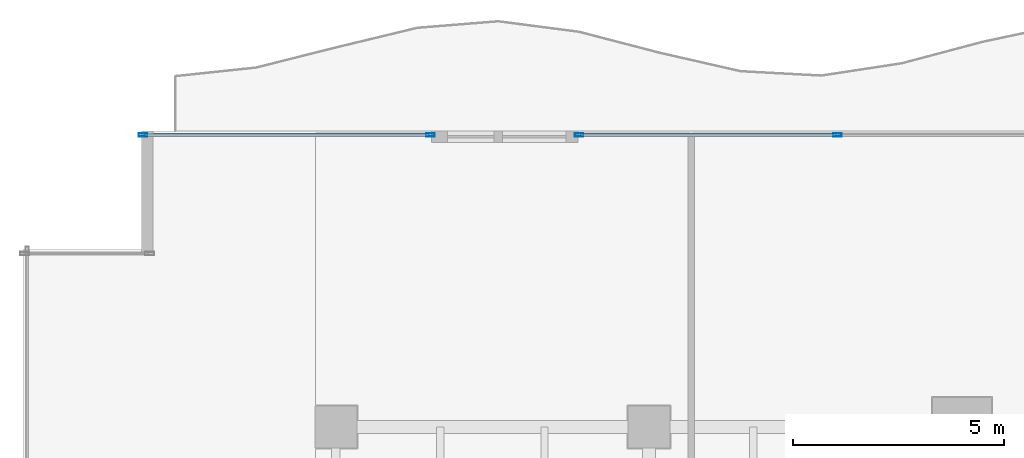
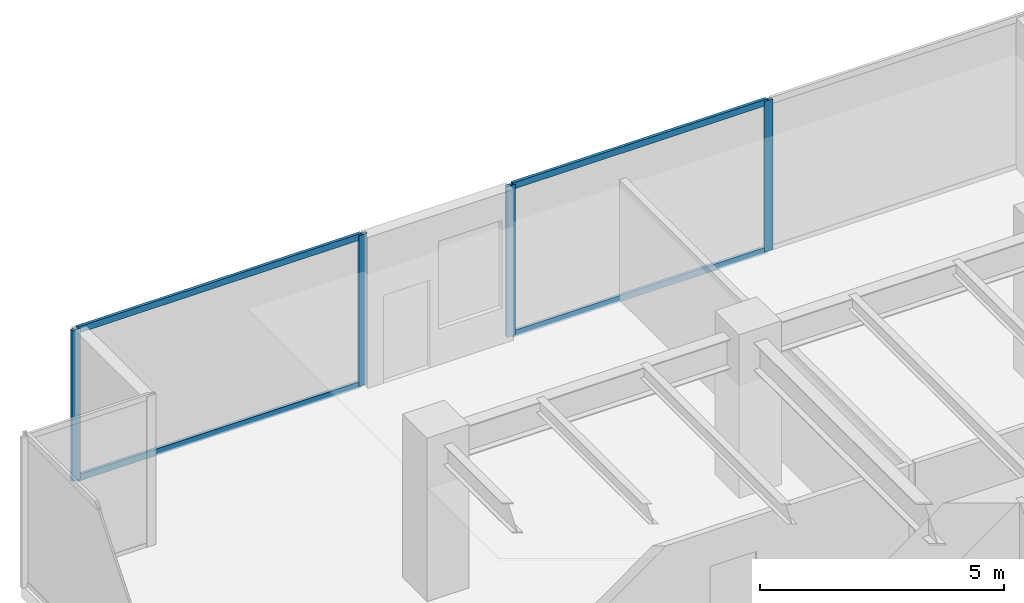
# One storey, part 15 of 32: 8 members, 2 elements without a shape of their own.
"""IFC4 building model written with IfcOpenShell, lengths in metres."""

from ifc_helpers import new_model, si_unit, direction, frame, origin, origin_2d, place, context, subcontext, project, spatial, hollow_rectangle, extrude, source, transform, mapped, material, layer, layer_set, material_profile, profile_set, type_object, type_shapes, element, aggregate, save


model = new_model("IFC4")

# Units and contexts
model_context = context("Model", 3, precision=1e-05, world=origin(), true_north=direction((0.0, 1.0)))
body_context = subcontext(model_context, "Body", "Model", "MODEL_VIEW")
ifc_project = project(units=[si_unit("LENGTHUNIT", "METRE"), si_unit("AREAUNIT", "SQUARE_METRE"), si_unit("VOLUMEUNIT", "CUBIC_METRE"), si_unit("PLANEANGLEUNIT", "RADIAN"), si_unit("MASSUNIT", "GRAM", prefix="KILO")], contexts=[model_context])

# Site, building, storey
site_placement = place(None, origin())
site = spatial("IfcSite", under=ifc_project, at=site_placement, CompositionType="ELEMENT")
building_placement = place(site_placement, origin())
building = spatial("IfcBuilding", under=site, at=building_placement, Name="Haelvirn Gate Laboratories", CompositionType="ELEMENT")
storey_placement = place(building_placement, frame((0.0, 0.0, 33.39990234375)))
storey = spatial("IfcBuildingStorey", under=building, at=storey_placement, Name="L08", CompositionType="ELEMENT", Elevation=33.39990234375)

# Curtain wall, members
ifc_material_1 = material(Name="Anodised bronze unitised aluminium & triple low-E glass", Category="aluminium")
ifc_layer = layer(ifc_material_1, 0.18408203125, Name="CW-SYS-2")
ifc_layer_set = layer_set([ifc_layer], Name="Anodised bronze unitised aluminium & triple low-E glass")
curtain_wall_type = type_object("IfcCurtainWallType", Name="CW-SYS-2", PredefinedType="NOTDEFINED", material=ifc_layer_set)
curtain_wall_1_placement = place(storey_placement, origin())
curtain_wall_1 = element("IfcCurtainWall", 1, at=curtain_wall_1_placement, inside=storey, type_object=curtain_wall_type, Name="L08 Unitised Curtain Wall CW-L08-P0-E14-1", PredefinedType="NOTDEFINED")
ifc_material_2 = material(Name="Extruded aluminium 6063-T6 (anodised bronze)", Category="aluminium")
ifc_material_profile_1 = material_profile(ifc_material_2, hollow_rectangle(XDim=0.074951171875, YDim=0.199951171875, WallThickness=0.0048828125, at=origin_2d()), Name="CWM-200x75x5")
ifc_profile_set_1 = profile_set([ifc_material_profile_1], Name="Extruded aluminium 6063-T6 (anodised bronze)")
member_type_1 = type_object("IfcMemberType", Name="CWM-T200", PredefinedType="MULLION", material=ifc_profile_set_1)
shared_shape_1 = source(origin(), body_context, "Body", "SweptSolid", [
    extrude(hollow_rectangle(XDim=0.074951171875, YDim=0.199951171875, WallThickness=0.0048828125, at=origin_2d()), origin(), (0.0, 0.0, 1.0), 3.780029296875),
])
type_shapes(member_type_1, [shared_shape_1])
member_1_placement = place(storey_placement, frame((2.83740234375, 48.5, 0.0), z_axis=(0.0, 0.0, 1.0), x_axis=(0.0, 1.0, 0.0)))
member_1 = element("IfcMember", 2, at=member_1_placement, type_object=member_type_1, Name="CW2 mullion 1", PredefinedType="MULLION", context=body_context, shape_type="MappedRepresentation", body=[
    mapped(shared_shape_1, transform((0.0, 0.0, 0.0), scale=1.0)),
])
member_2_placement = place(storey_placement, frame((9.632568359375, 48.5, 0.0), z_axis=(0.0, 0.0, 1.0), x_axis=(0.0, 1.0, 0.0)))
member_2 = element("IfcMember", 3, at=member_2_placement, type_object=member_type_1, Name="CW2 mullion 2", PredefinedType="MULLION", context=body_context, shape_type="MappedRepresentation", body=[
    mapped(shared_shape_1, transform((0.0, 0.0, 0.0), scale=1.0)),
])

curtain_wall_2_placement = place(storey_placement, origin())
curtain_wall_2 = element("IfcCurtainWall", 4, at=curtain_wall_2_placement, inside=storey, type_object=curtain_wall_type, Name="L08 Unitised Curtain Wall CW-L08-P0-E14-2", PredefinedType="NOTDEFINED")
member_3_placement = place(storey_placement, frame((13.1474609375, 48.5, 0.0), z_axis=(0.0, 0.0, 1.0), x_axis=(0.0, 1.0, 0.0)))
member_3 = element("IfcMember", 5, at=member_3_placement, type_object=member_type_1, Name="CW2 mullion 1", PredefinedType="MULLION", context=body_context, shape_type="MappedRepresentation", body=[
    mapped(shared_shape_1, transform((0.0, 0.0, 0.0), scale=1.0)),
])
member_4_placement = place(storey_placement, frame((19.2548828125, 48.5, 0.0), z_axis=(0.0, 0.0, 1.0), x_axis=(0.0, 1.0, 0.0)))
member_4 = element("IfcMember", 6, at=member_4_placement, type_object=member_type_1, Name="CW2 mullion 2", PredefinedType="MULLION", context=body_context, shape_type="MappedRepresentation", body=[
    mapped(shared_shape_1, transform((0.0, 0.0, 0.0), scale=1.0)),
])

# Member
ifc_material_profile_2 = material_profile(ifc_material_2, hollow_rectangle(XDim=0.070068359375, YDim=0.159912109375, WallThickness=0.0048828125, at=origin_2d()), Name="CWT-160x70x5")
ifc_profile_set_2 = profile_set([ifc_material_profile_2], Name="Extruded aluminium 6063-T6 (anodised bronze)")
member_type_2 = type_object("IfcMemberType", Name="CWT-T160", PredefinedType="USERDEFINED", material=ifc_profile_set_2)
shared_shape_2 = source(origin(), body_context, "Body", "SweptSolid", [
    extrude(hollow_rectangle(XDim=0.070068359375, YDim=0.159912109375, WallThickness=0.0048828125, at=origin_2d()), origin(), (0.0, 0.0, 1.0), 6.719970703125),
])
member_5_placement = place(storey_placement, frame((2.875, 48.5, 0.03515625), z_axis=(1.0, 0.0, 0.0), x_axis=(0.0, 1.0, 0.0)))
member_5 = element("IfcMember", 7, at=member_5_placement, type_object=member_type_2, Name="CW2 transom 1.1", ObjectType="TRANSOM", PredefinedType="USERDEFINED", context=body_context, shape_type="MappedRepresentation", body=[
    mapped(shared_shape_2, transform((0.0, 0.0, 0.0), scale=1.0)),
])

member_6_placement = place(storey_placement, frame((2.875, 48.5, 3.7451171875), z_axis=(1.0, 0.0, 0.0), x_axis=(0.0, 1.0, 0.0)))
member_6 = element("IfcMember", 8, at=member_6_placement, type_object=member_type_2, Name="CW2 transom 1.2", ObjectType="TRANSOM", PredefinedType="USERDEFINED", context=body_context, shape_type="MappedRepresentation", body=[
    mapped(shared_shape_2, transform((0.0, 0.0, 0.0), scale=1.0)),
])

aggregate(curtain_wall_1, [member_1, member_2, member_5, member_6])

shared_shape_3 = source(origin(), body_context, "Body", "SweptSolid", [
    extrude(hollow_rectangle(XDim=0.070068359375, YDim=0.159912109375, WallThickness=0.0048828125, at=origin_2d()), origin(), (0.0, 0.0, 1.0), 6.032470703125),
])
type_shapes(member_type_2, [shared_shape_2, shared_shape_3])
member_7_placement = place(storey_placement, frame((13.18505859375, 48.5, 0.03515625), z_axis=(1.0, 0.0, 0.0), x_axis=(0.0, 1.0, 0.0)))
member_7 = element("IfcMember", 9, at=member_7_placement, type_object=member_type_2, Name="CW2 transom 1.1", ObjectType="TRANSOM", PredefinedType="USERDEFINED", context=body_context, shape_type="MappedRepresentation", body=[
    mapped(shared_shape_3, transform((0.0, 0.0, 0.0), scale=1.0)),
])

member_8_placement = place(storey_placement, frame((13.18505859375, 48.5, 3.7451171875), z_axis=(1.0, 0.0, 0.0), x_axis=(0.0, 1.0, 0.0)))
member_8 = element("IfcMember", 10, at=member_8_placement, type_object=member_type_2, Name="CW2 transom 1.2", ObjectType="TRANSOM", PredefinedType="USERDEFINED", context=body_context, shape_type="MappedRepresentation", body=[
    mapped(shared_shape_3, transform((0.0, 0.0, 0.0), scale=1.0)),
])

aggregate(curtain_wall_2, [member_3, member_4, member_7, member_8])

save(model, "model.ifc")
